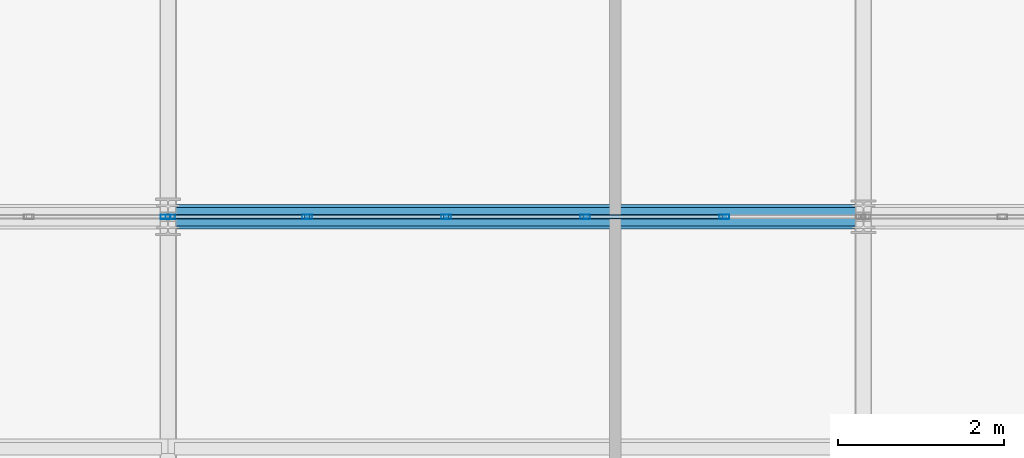
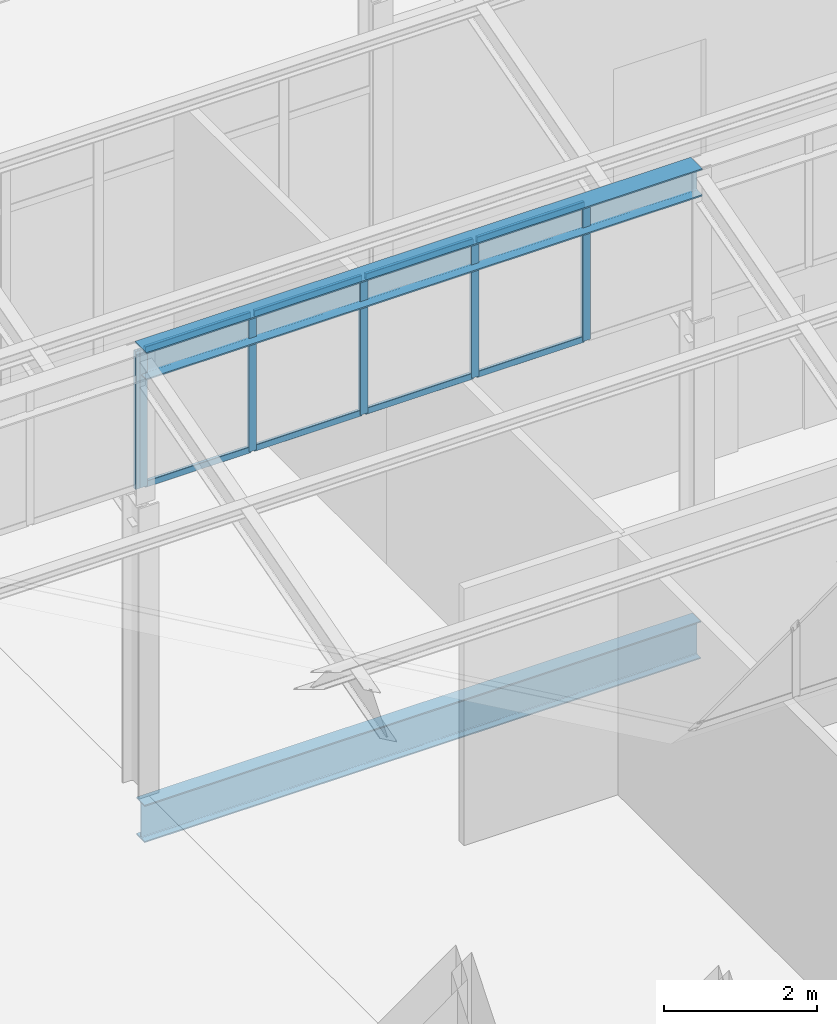
# One storey, part 26 of 53: 14 members, 2 beams, 2 elements without a shape of their own.
"""IFC4 building model written with IfcOpenShell, lengths in metres."""

from ifc_helpers import new_model, si_unit, direction, frame, origin, origin_2d, place, context, subcontext, project, spatial, hollow_rectangle, i_section, extrude, material, layer, layer_set, material_profile, profile_set, type_object, element, aggregate, save


model = new_model("IFC4")

# Units and contexts
model_context = context("Model", 3, precision=1e-05, world=origin(), true_north=direction((0.0, 1.0)))
body_context = subcontext(model_context, "Body", "Model", "MODEL_VIEW")
ifc_project = project(units=[si_unit("LENGTHUNIT", "METRE"), si_unit("AREAUNIT", "SQUARE_METRE"), si_unit("VOLUMEUNIT", "CUBIC_METRE"), si_unit("PLANEANGLEUNIT", "RADIAN"), si_unit("MASSUNIT", "GRAM", prefix="KILO")], contexts=[model_context])

# Site, building, storey
site_placement = place(None, origin())
site = spatial("IfcSite", under=ifc_project, at=site_placement, CompositionType="ELEMENT")
building_placement = place(site_placement, origin())
building = spatial("IfcBuilding", under=site, at=building_placement, Name="Qalvenar Corner Mobility Hub", CompositionType="ELEMENT")
storey_placement = place(building_placement, frame((0.0, 0.0, 26.39990234375)))
storey = spatial("IfcBuildingStorey", under=building, at=storey_placement, Name="L06", CompositionType="ELEMENT", Elevation=26.39990234375)

# Beams
ifc_material_1 = material(Name="Steel S355", Category="steel")
ifc_material_profile_1 = material_profile(ifc_material_1, i_section(OverallWidth=0.300048828125, OverallDepth=0.43994140625, WebThickness=0.011474609375, FlangeThickness=0.02099609375, FilletRadius=0.027099609375, at=origin_2d()), Name="HEA450")
ifc_profile_set_1 = profile_set([ifc_material_profile_1], Name="Steel S355")
beam_type_1 = type_object("IfcBeamType", Name="BM-HEA450", PredefinedType="BEAM", material=ifc_profile_set_1)
beam_1_placement = place(storey_placement, frame((16.800048828125, 25.199951171875, 6.81005859375), z_axis=(1.0, 0.0, 0.0), x_axis=(0.0, 1.0, 0.0)))
element("IfcBeam", 1, at=beam_1_placement, inside=storey, type_object=beam_type_1, Name="Sawtooth Ridge Girder V3RDG-3-3", PredefinedType="BEAM", context=body_context, shape_type="SweptSolid", body=[
    extrude(i_section(OverallWidth=0.300048828125, OverallDepth=0.43994140625, WebThickness=0.011474609375, FlangeThickness=0.02099609375, FilletRadius=0.027099609375, at=origin_2d()), origin(), (0.0, 0.0, 1.0), 8.39990234375),
])
ifc_material_profile_2 = material_profile(ifc_material_1, i_section(OverallWidth=0.219970703125, OverallDepth=0.60009765625, WebThickness=0.011962890625, FlangeThickness=0.01904296875, FilletRadius=0.02392578125, at=origin_2d()), Name="IPE600")
ifc_profile_set_2 = profile_set([ifc_material_profile_2], Name="Steel S355")
beam_type_2 = type_object("IfcBeamType", Name="BM-IPE600", PredefinedType="BEAM", material=ifc_profile_set_2)
beam_2_placement = place(storey_placement, frame((16.800048828125, 25.199951171875, -0.52001953125), z_axis=(1.0, 0.0, 0.0), x_axis=(0.0, 1.0, 0.0)))
element("IfcBeam", 2, at=beam_2_placement, inside=storey, type_object=beam_type_2, Name="Primary Steel Girder GX-3069", PredefinedType="BEAM", context=body_context, shape_type="SweptSolid", body=[
    extrude(i_section(OverallWidth=0.219970703125, OverallDepth=0.60009765625, WebThickness=0.011962890625, FlangeThickness=0.01904296875, FilletRadius=0.02392578125, at=origin_2d()), origin(), (0.0, 0.0, 1.0), 8.39990234375),
])

# Curtain wall, member
ifc_material_2 = material(Name="Anodised Aluminium and Low-E Glazing", Category="aluminium")
ifc_layer = layer(ifc_material_2, 0.1201171875)
ifc_layer_set = layer_set([ifc_layer], Name="Anodised Aluminium and Low-E Glazing")
curtain_wall_type = type_object("IfcCurtainWallType", Name="CW-CLR-84X24", PredefinedType="NOTDEFINED", material=ifc_layer_set)
curtain_wall_1_placement = place(storey_placement, origin())
curtain_wall_1 = element("IfcCurtainWall", 3, at=curtain_wall_1_placement, inside=storey, type_object=curtain_wall_type, Name="Glazed Curtain Wall CW-V3-SAW-3-1", PredefinedType="NOTDEFINED")
ifc_material_3 = material(Name="Anodised Aluminium 6063-T6", Category="aluminium")
ifc_material_profile_3 = material_profile(ifc_material_3, hollow_rectangle(XDim=0.054931640625, YDim=0.1201171875, WallThickness=0.00341796875, InnerFilletRadius=0.00341796875, OuterFilletRadius=0.007080078125, at=origin_2d()), Name="RHS120x55x3.5")
ifc_profile_set_3 = profile_set([ifc_material_profile_3], Name="Anodised Aluminium 6063-T6")
member_type_1 = type_object("IfcMemberType", Name="CW-MUL120", PredefinedType="MULLION", material=ifc_profile_set_3)
member_1_placement = place(storey_placement, frame((16.77001953125, 25.199951171875, 4.800048828125), z_axis=(0.0, 0.0, 1.0), x_axis=(0.0, -1.0, 0.0)))
member_1 = element("IfcMember", 4, at=member_1_placement, type_object=member_type_1, Name="CW-12 mullion 1", PredefinedType="MULLION", context=body_context, shape_type="SweptSolid", body=[
    extrude(hollow_rectangle(XDim=0.054931640625, YDim=0.1201171875, WallThickness=0.00341796875, InnerFilletRadius=0.00341796875, OuterFilletRadius=0.007080078125, at=origin_2d()), origin(), (0.0, 0.0, 1.0), 2.199951171875),
])
aggregate(curtain_wall_1, [member_1])

# Curtain wall, members
curtain_wall_2_placement = place(storey_placement, origin())
curtain_wall_2 = element("IfcCurtainWall", 5, at=curtain_wall_2_placement, inside=storey, type_object=curtain_wall_type, Name="Glazed Curtain Wall CW-V3-SAW-3-2", PredefinedType="NOTDEFINED")
member_2_placement = place(storey_placement, frame((23.52001953125, 25.199951171875, 4.800048828125), z_axis=(0.0, 0.0, 1.0), x_axis=(0.0, -1.0, 0.0)))
member_2 = element("IfcMember", 6, at=member_2_placement, type_object=member_type_1, Name="CW-12 mullion 2", PredefinedType="MULLION", context=body_context, shape_type="SweptSolid", body=[
    extrude(hollow_rectangle(XDim=0.054931640625, YDim=0.1201171875, WallThickness=0.00341796875, InnerFilletRadius=0.00341796875, OuterFilletRadius=0.007080078125, at=origin_2d()), origin(), (0.0, 0.0, 1.0), 2.199951171875),
])
member_3_placement = place(storey_placement, frame((21.840087890625, 25.199951171875, 4.800048828125), z_axis=(0.0, 0.0, 1.0), x_axis=(0.0, -1.0, 0.0)))
member_3 = element("IfcMember", 7, at=member_3_placement, type_object=member_type_1, Name="CW-12 mullion 3", PredefinedType="MULLION", context=body_context, shape_type="SweptSolid", body=[
    extrude(hollow_rectangle(XDim=0.054931640625, YDim=0.1201171875, WallThickness=0.00341796875, InnerFilletRadius=0.00341796875, OuterFilletRadius=0.007080078125, at=origin_2d()), origin(), (0.0, 0.0, 1.0), 2.199951171875),
])
member_4_placement = place(storey_placement, frame((20.159912109375, 25.199951171875, 4.800048828125), z_axis=(0.0, 0.0, 1.0), x_axis=(0.0, -1.0, 0.0)))
member_4 = element("IfcMember", 8, at=member_4_placement, type_object=member_type_1, Name="CW-12 mullion 4", PredefinedType="MULLION", context=body_context, shape_type="SweptSolid", body=[
    extrude(hollow_rectangle(XDim=0.054931640625, YDim=0.1201171875, WallThickness=0.00341796875, InnerFilletRadius=0.00341796875, OuterFilletRadius=0.007080078125, at=origin_2d()), origin(), (0.0, 0.0, 1.0), 2.199951171875),
])
member_5_placement = place(storey_placement, frame((18.47998046875, 25.199951171875, 4.800048828125), z_axis=(0.0, 0.0, 1.0), x_axis=(0.0, -1.0, 0.0)))
member_5 = element("IfcMember", 9, at=member_5_placement, type_object=member_type_1, Name="CW-12 mullion 5", PredefinedType="MULLION", context=body_context, shape_type="SweptSolid", body=[
    extrude(hollow_rectangle(XDim=0.054931640625, YDim=0.1201171875, WallThickness=0.00341796875, InnerFilletRadius=0.00341796875, OuterFilletRadius=0.007080078125, at=origin_2d()), origin(), (0.0, 0.0, 1.0), 2.199951171875),
])
member_6_placement = place(storey_placement, frame((16.830078125, 25.199951171875, 4.800048828125), z_axis=(0.0, 0.0, 1.0), x_axis=(0.0, -1.0, 0.0)))
member_6 = element("IfcMember", 10, at=member_6_placement, type_object=member_type_1, Name="CW-12 mullion 6", PredefinedType="MULLION", context=body_context, shape_type="SweptSolid", body=[
    extrude(hollow_rectangle(XDim=0.054931640625, YDim=0.1201171875, WallThickness=0.00341796875, InnerFilletRadius=0.00341796875, OuterFilletRadius=0.007080078125, at=origin_2d()), origin(), (0.0, 0.0, 1.0), 2.199951171875),
])
ifc_material_profile_4 = material_profile(ifc_material_3, hollow_rectangle(XDim=0.050048828125, YDim=0.10009765625, WallThickness=0.0029296875, InnerFilletRadius=0.0029296875, OuterFilletRadius=0.006103515625, at=origin_2d()), Name="RHS100x50x3")
ifc_profile_set_4 = profile_set([ifc_material_profile_4], Name="Anodised Aluminium 6063-T6")
member_type_2 = type_object("IfcMemberType", Name="CW-TRN100", PredefinedType="USERDEFINED", material=ifc_profile_set_4)
member_7_placement = place(storey_placement, frame((23.489990234375, 25.199951171875, 4.82763671875), z_axis=(-1.0, 0.0, 0.0), x_axis=(0.0, -1.0, 0.0)))
member_7 = element("IfcMember", 11, at=member_7_placement, type_object=member_type_2, Name="CW-12 transom 2.1", ObjectType="TRANSOM", PredefinedType="USERDEFINED", context=body_context, shape_type="SweptSolid", body=[
    extrude(hollow_rectangle(XDim=0.050048828125, YDim=0.10009765625, WallThickness=0.0029296875, InnerFilletRadius=0.0029296875, OuterFilletRadius=0.006103515625, at=origin_2d()), origin(), (0.0, 0.0, 1.0), 1.619873046875),
])
member_8_placement = place(storey_placement, frame((23.489990234375, 25.199951171875, 6.97265625), z_axis=(-1.0, 0.0, 0.0), x_axis=(0.0, -1.0, 0.0)))
member_8 = element("IfcMember", 12, at=member_8_placement, type_object=member_type_2, Name="CW-12 transom 2.2", ObjectType="TRANSOM", PredefinedType="USERDEFINED", context=body_context, shape_type="SweptSolid", body=[
    extrude(hollow_rectangle(XDim=0.050048828125, YDim=0.10009765625, WallThickness=0.0029296875, InnerFilletRadius=0.0029296875, OuterFilletRadius=0.006103515625, at=origin_2d()), origin(), (0.0, 0.0, 1.0), 1.619873046875),
])
member_9_placement = place(storey_placement, frame((21.81005859375, 25.199951171875, 4.82763671875), z_axis=(-1.0, 0.0, 0.0), x_axis=(0.0, -1.0, 0.0)))
member_9 = element("IfcMember", 13, at=member_9_placement, type_object=member_type_2, Name="CW-12 transom 3.1", ObjectType="TRANSOM", PredefinedType="USERDEFINED", context=body_context, shape_type="SweptSolid", body=[
    extrude(hollow_rectangle(XDim=0.050048828125, YDim=0.10009765625, WallThickness=0.0029296875, InnerFilletRadius=0.0029296875, OuterFilletRadius=0.006103515625, at=origin_2d()), origin(), (0.0, 0.0, 1.0), 1.6201171875),
])
member_10_placement = place(storey_placement, frame((21.81005859375, 25.199951171875, 6.97265625), z_axis=(-1.0, 0.0, 0.0), x_axis=(0.0, -1.0, 0.0)))
member_10 = element("IfcMember", 14, at=member_10_placement, type_object=member_type_2, Name="CW-12 transom 3.2", ObjectType="TRANSOM", PredefinedType="USERDEFINED", context=body_context, shape_type="SweptSolid", body=[
    extrude(hollow_rectangle(XDim=0.050048828125, YDim=0.10009765625, WallThickness=0.0029296875, InnerFilletRadius=0.0029296875, OuterFilletRadius=0.006103515625, at=origin_2d()), origin(), (0.0, 0.0, 1.0), 1.6201171875),
])
member_11_placement = place(storey_placement, frame((20.1298828125, 25.199951171875, 4.82763671875), z_axis=(-1.0, 0.0, 0.0), x_axis=(0.0, -1.0, 0.0)))
member_11 = element("IfcMember", 15, at=member_11_placement, type_object=member_type_2, Name="CW-12 transom 4.1", ObjectType="TRANSOM", PredefinedType="USERDEFINED", context=body_context, shape_type="SweptSolid", body=[
    extrude(hollow_rectangle(XDim=0.050048828125, YDim=0.10009765625, WallThickness=0.0029296875, InnerFilletRadius=0.0029296875, OuterFilletRadius=0.006103515625, at=origin_2d()), origin(), (0.0, 0.0, 1.0), 1.619873046875),
])
member_12_placement = place(storey_placement, frame((20.1298828125, 25.199951171875, 6.97265625), z_axis=(-1.0, 0.0, 0.0), x_axis=(0.0, -1.0, 0.0)))
member_12 = element("IfcMember", 16, at=member_12_placement, type_object=member_type_2, Name="CW-12 transom 4.2", ObjectType="TRANSOM", PredefinedType="USERDEFINED", context=body_context, shape_type="SweptSolid", body=[
    extrude(hollow_rectangle(XDim=0.050048828125, YDim=0.10009765625, WallThickness=0.0029296875, InnerFilletRadius=0.0029296875, OuterFilletRadius=0.006103515625, at=origin_2d()), origin(), (0.0, 0.0, 1.0), 1.619873046875),
])
member_13_placement = place(storey_placement, frame((18.449951171875, 25.199951171875, 4.82763671875), z_axis=(-1.0, 0.0, 0.0), x_axis=(0.0, -1.0, 0.0)))
member_13 = element("IfcMember", 17, at=member_13_placement, type_object=member_type_2, Name="CW-12 transom 5.1", ObjectType="TRANSOM", PredefinedType="USERDEFINED", context=body_context, shape_type="SweptSolid", body=[
    extrude(hollow_rectangle(XDim=0.050048828125, YDim=0.10009765625, WallThickness=0.0029296875, InnerFilletRadius=0.0029296875, OuterFilletRadius=0.006103515625, at=origin_2d()), origin(), (0.0, 0.0, 1.0), 1.58984375),
])
member_14_placement = place(storey_placement, frame((18.449951171875, 25.199951171875, 6.97265625), z_axis=(-1.0, 0.0, 0.0), x_axis=(0.0, -1.0, 0.0)))
member_14 = element("IfcMember", 18, at=member_14_placement, type_object=member_type_2, Name="CW-12 transom 5.2", ObjectType="TRANSOM", PredefinedType="USERDEFINED", context=body_context, shape_type="SweptSolid", body=[
    extrude(hollow_rectangle(XDim=0.050048828125, YDim=0.10009765625, WallThickness=0.0029296875, InnerFilletRadius=0.0029296875, OuterFilletRadius=0.006103515625, at=origin_2d()), origin(), (0.0, 0.0, 1.0), 1.58984375),
])
aggregate(curtain_wall_2, [member_2, member_3, member_4, member_5, member_6, member_7, member_8, member_9, member_10, member_11, member_12, member_13, member_14])

save(model, "model.ifc")
